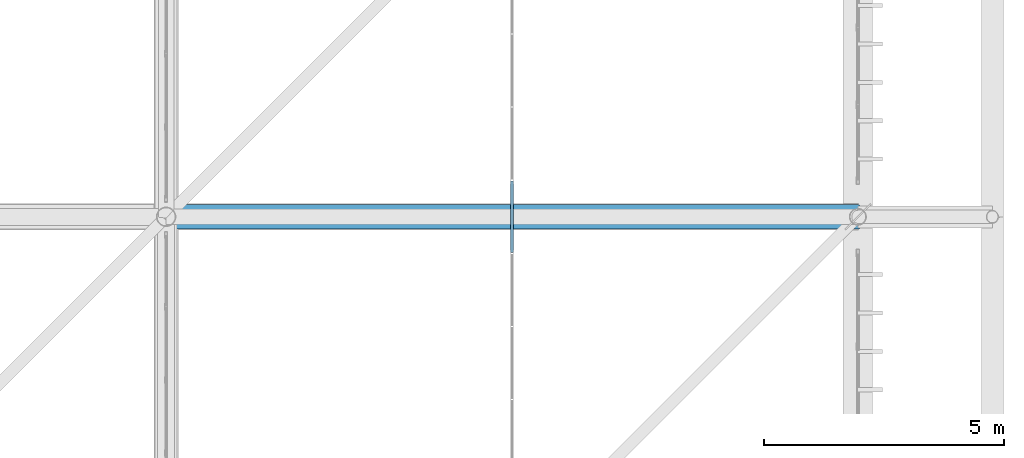
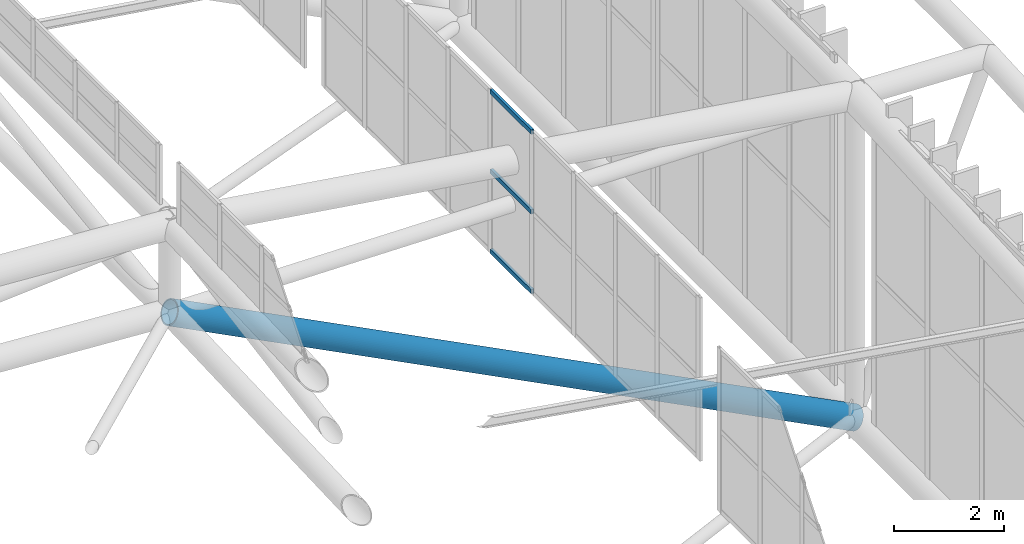
# One storey, part 165 of 397: 3 members, 1 beam, 1 element without a shape of its own.
"""IFC4 building model written with IfcOpenShell, lengths in metres."""

from ifc_helpers import new_model, si_unit, direction, frame, origin, origin_2d, place, context, subcontext, project, spatial, hollow_rectangle, hollow_circle, extrude, material, material_profile, profile_set, type_object, element, aggregate, save


model = new_model("IFC4")

# Units and contexts
model_context = context("Model", 3, precision=1e-05, world=origin(), true_north=direction((0.0, 1.0)))
body_context = subcontext(model_context, "Body", "Model", "MODEL_VIEW")
ifc_project = project(units=[si_unit("LENGTHUNIT", "METRE"), si_unit("AREAUNIT", "SQUARE_METRE"), si_unit("VOLUMEUNIT", "CUBIC_METRE"), si_unit("PLANEANGLEUNIT", "RADIAN"), si_unit("MASSUNIT", "GRAM", prefix="KILO")], contexts=[model_context])

# Site, building, storey
site_placement = place(None, origin())
site = spatial("IfcSite", under=ifc_project, at=site_placement, CompositionType="ELEMENT")
building_placement = place(site_placement, origin())
building = spatial("IfcBuilding", under=site, at=building_placement, Name="Qandorah Velis Arena", CompositionType="ELEMENT")
storey_placement = place(building_placement, frame((0.0, 0.0, 27.5)))
storey = spatial("IfcBuildingStorey", under=building, at=storey_placement, Name="RF", CompositionType="ELEMENT", Elevation=27.5)

# Curtain wall, members
ifc_material_1 = material(Name="Solar-control low-E double glazing", Category="glass")
curtain_wall_type = type_object("IfcCurtainWallType", Name="ARC-CW-SYS15", PredefinedType="USERDEFINED", material=ifc_material_1)
curtain_wall_placement = place(storey_placement, origin())
curtain_wall = element("IfcCurtainWall", 1, at=curtain_wall_placement, inside=storey, type_object=curtain_wall_type, Name="Unitised curtain wall MON-2-3", ObjectType="UNITISED CURTAIN WALL", PredefinedType="USERDEFINED")
ifc_material_2 = material(Name="Champagne-bronze anodized aluminium 6063-T6", Category="aluminium")
ifc_material_profile_1 = material_profile(ifc_material_2, hollow_rectangle(XDim=0.054931640625, YDim=0.10009765625, WallThickness=0.0029296875, at=origin_2d()), Name="ALU TRANSOM 55x100")
ifc_profile_set_1 = profile_set([ifc_material_profile_1], Name="Champagne-bronze anodized aluminium 6063-T6")
member_type = type_object("IfcMemberType", Name="ARC-CWT-100", PredefinedType="USERDEFINED", material=ifc_profile_set_1)
member_1_placement = place(storey_placement, frame((108.0, 56.8544921875, 5.872802734375), z_axis=(0.0, 1.0, 0.0), x_axis=(-1.0, 0.0, 0.0)))
member_1 = element("IfcMember", 2, at=member_1_placement, type_object=member_type, Name="CW15 transom 5.1", ObjectType="TRANSOM", PredefinedType="USERDEFINED", context=body_context, shape_type="SweptSolid", body=[
    extrude(hollow_rectangle(XDim=0.054931640625, YDim=0.10009765625, WallThickness=0.0029296875, at=origin_2d()), origin(), (0.0, 0.0, 1.0), 1.4912109375),
])
member_2_placement = place(storey_placement, frame((108.0, 56.8544921875, 7.645263671875), z_axis=(0.0, 1.0, 0.0), x_axis=(-1.0, 0.0, 0.0)))
member_2 = element("IfcMember", 3, at=member_2_placement, type_object=member_type, Name="CW15 transom 5.2", ObjectType="TRANSOM", PredefinedType="USERDEFINED", context=body_context, shape_type="SweptSolid", body=[
    extrude(hollow_rectangle(XDim=0.054931640625, YDim=0.10009765625, WallThickness=0.0029296875, at=origin_2d()), origin(), (0.0, 0.0, 1.0), 1.4912109375),
])
member_3_placement = place(storey_placement, frame((108.0, 56.8544921875, 9.417724609375), z_axis=(0.0, 1.0, 0.0), x_axis=(-1.0, 0.0, 0.0)))
member_3 = element("IfcMember", 4, at=member_3_placement, type_object=member_type, Name="CW15 transom 5.3", ObjectType="TRANSOM", PredefinedType="USERDEFINED", context=body_context, shape_type="SweptSolid", body=[
    extrude(hollow_rectangle(XDim=0.054931640625, YDim=0.10009765625, WallThickness=0.0029296875, at=origin_2d()), origin(), (0.0, 0.0, 1.0), 1.4912109375),
])
aggregate(curtain_wall, [member_1, member_2, member_3])

# Beam
ifc_material_3 = material(Name="Steel S355", Category="steel")
ifc_material_profile_2 = material_profile(ifc_material_3, hollow_circle(Radius=0.25390625, WallThickness=0.02490234375, at=origin_2d()), Name="CHS 508x25")
ifc_profile_set_2 = profile_set([ifc_material_profile_2], Name="Steel S355")
beam_type = type_object("IfcBeamType", Name="STR-SFC-CHS508X25", PredefinedType="USERDEFINED", material=ifc_profile_set_2)
beam_placement = place(storey_placement, frame((100.800048828125, 57.60009765625, 7.483154296875), z_axis=(0.889855314431, 0.0, -0.4562428294), x_axis=(0.0, 1.0, 0.0)))
element("IfcBeam", 5, at=beam_placement, inside=storey, type_object=beam_type, Name="Space frame roof truss bottom chord X 6.3", ObjectType="ROOF TRUSS", PredefinedType="USERDEFINED", context=body_context, shape_type="SweptSolid", body=[
    extrude(hollow_circle(Radius=0.25390625, WallThickness=0.02490234375, at=origin_2d()), origin(), (0.0, 0.0, 1.0), 16.182373046875),
])

save(model, "model.ifc")
